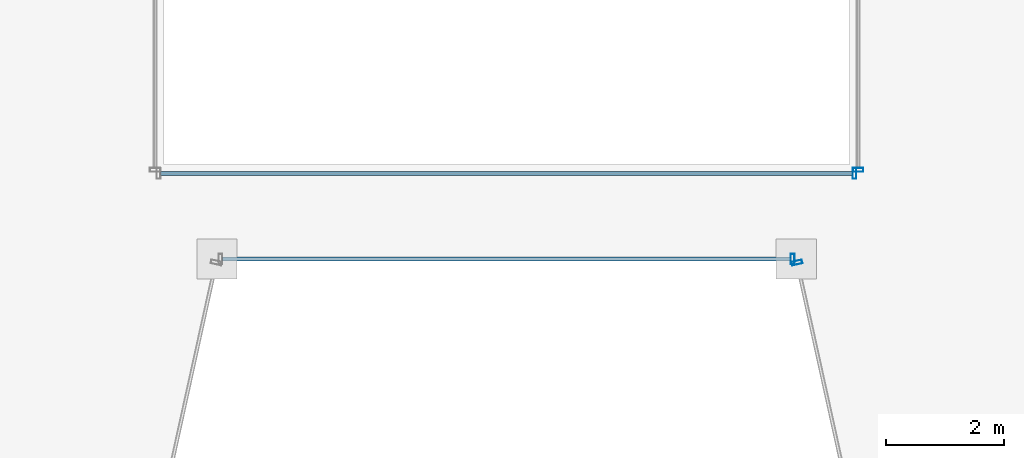
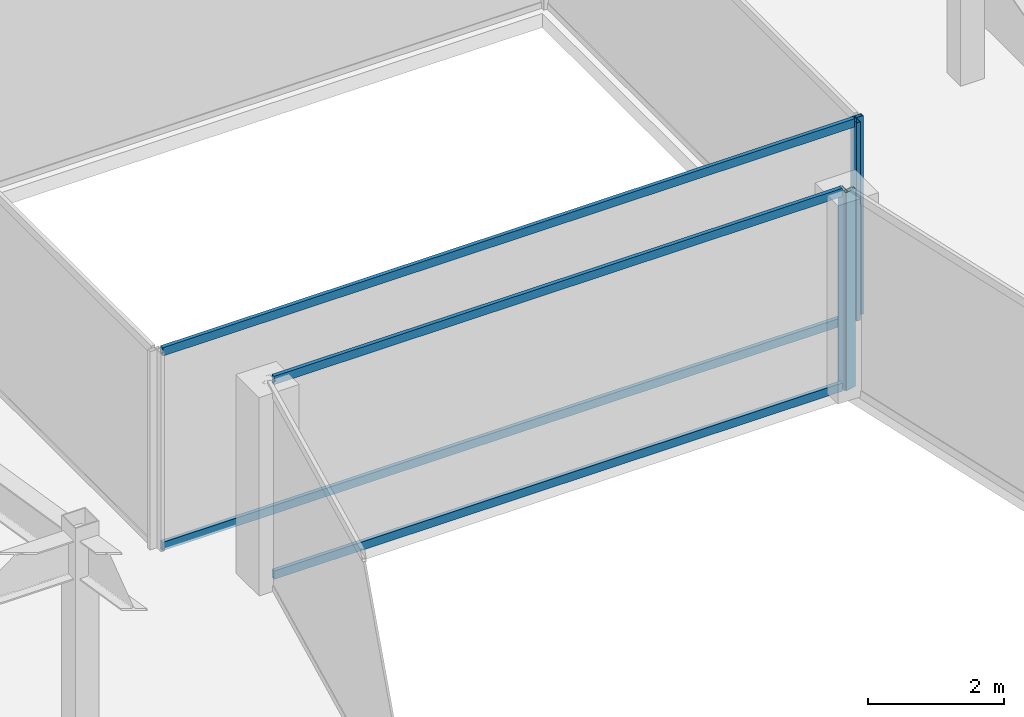
# One storey, part 8 of 36: 8 members, 4 elements without a shape of their own.
"""IFC4 building model written with IfcOpenShell, lengths in metres."""

from ifc_helpers import new_model, si_unit, direction, frame, origin, origin_2d, place, context, subcontext, project, spatial, hollow_rectangle, extrude, material, material_profile, profile_set, type_object, element, aggregate, save


model = new_model("IFC4")

# Units and contexts
model_context = context("Model", 3, precision=1e-05, world=origin(), true_north=direction((0.0, 1.0)))
body_context = subcontext(model_context, "Body", "Model", "MODEL_VIEW")
ifc_project = project(units=[si_unit("LENGTHUNIT", "METRE"), si_unit("AREAUNIT", "SQUARE_METRE"), si_unit("VOLUMEUNIT", "CUBIC_METRE"), si_unit("PLANEANGLEUNIT", "RADIAN"), si_unit("MASSUNIT", "GRAM", prefix="KILO")], contexts=[model_context])

# Site, building, storey
site_placement = place(None, origin())
site = spatial("IfcSite", under=ifc_project, at=site_placement, CompositionType="ELEMENT")
building_placement = place(site_placement, origin())
building = spatial("IfcBuilding", under=site, at=building_placement, Name="Saevonmaru Cultural Tower", CompositionType="ELEMENT")
storey_placement = place(building_placement, frame((0.0, 0.0, 209.39990234375)))
storey = spatial("IfcBuildingStorey", under=building, at=storey_placement, Name="L48", CompositionType="ELEMENT", Elevation=209.39990234375)

# Curtain wall, member
ifc_material = material(Name="Satin Bronze Anodised Aluminium", Category="aluminium")
curtain_wall_type_1 = type_object("IfcCurtainWallType", Name="CW-TYP-B", PredefinedType="NOTDEFINED", material=ifc_material)
curtain_wall_1_placement = place(storey_placement, origin())
curtain_wall_1 = element("IfcCurtainWall", 1, at=curtain_wall_1_placement, inside=storey, type_object=curtain_wall_type_1, Name="L48 Unitised Curtain Wall E4", PredefinedType="NOTDEFINED")
ifc_material_profile_1 = material_profile(ifc_material, hollow_rectangle(XDim=0.06494140625, YDim=0.179931640625, WallThickness=0.00390625, at=origin_2d()), Name="ALU-MULL-180x65x4")
ifc_profile_set_1 = profile_set([ifc_material_profile_1], Name="Satin Bronze Anodised Aluminium")
member_type_1 = type_object("IfcMemberType", Name="ML-CW-180x65", PredefinedType="MULLION", material=ifc_profile_set_1)
member_1_placement = place(storey_placement, frame((34.84228515625, 26.0, 0.0), z_axis=(0.0, 0.0, 1.0), x_axis=(1.0, 0.0, 0.0)))
member_1 = element("IfcMember", 2, at=member_1_placement, type_object=member_type_1, Name="CW-TW-L48-E4 mullion 2", PredefinedType="MULLION", context=body_context, shape_type="SweptSolid", body=[
    extrude(hollow_rectangle(XDim=0.06494140625, YDim=0.179931640625, WallThickness=0.00390625, at=origin_2d()), origin(), (0.0, 0.0, 1.0), 3.550048828125),
])

curtain_wall_2_placement = place(storey_placement, origin())
curtain_wall_2 = element("IfcCurtainWall", 3, at=curtain_wall_2_placement, inside=storey, type_object=curtain_wall_type_1, Name="L48 Unitised Curtain Wall E5", PredefinedType="NOTDEFINED")
member_2_placement = place(storey_placement, frame((34.9150390625, 25.94140625, 0.0), z_axis=(0.0, 0.0, 1.0), x_axis=(0.215413319953, -0.976522965212, 0.0)))
member_2 = element("IfcMember", 4, at=member_2_placement, type_object=member_type_1, Name="CW-TW-L48-E5 mullion 1", PredefinedType="MULLION", context=body_context, shape_type="SweptSolid", body=[
    extrude(hollow_rectangle(XDim=0.06494140625, YDim=0.179931640625, WallThickness=0.00390625, at=origin_2d()), origin(), (0.0, 0.0, 1.0), 3.550048828125),
])
aggregate(curtain_wall_2, [member_2])

curtain_wall_type_2 = type_object("IfcCurtainWallType", Name="CW-ATR-GLZ", PredefinedType="NOTDEFINED", material=ifc_material)
curtain_wall_3_placement = place(storey_placement, origin())
curtain_wall_3 = element("IfcCurtainWall", 5, at=curtain_wall_3_placement, inside=storey, type_object=curtain_wall_type_2, Name="L48 Vertical Atrium Glazed Smoke Screen 1", PredefinedType="NOTDEFINED")
ifc_material_profile_2 = material_profile(ifc_material, hollow_rectangle(XDim=0.06494140625, YDim=0.179931640625, WallThickness=0.00390625, at=origin_2d()), Name="ALU-MULL-180x65x4")
ifc_profile_set_2 = profile_set([ifc_material_profile_2], Name="Satin Bronze Anodised Aluminium")
member_type_2 = type_object("IfcMemberType", Name="ML-CW-INT-180x65", PredefinedType="MULLION", material=ifc_profile_set_2)
member_3_placement = place(storey_placement, frame((35.889892578125, 27.449951171875, 0.0), z_axis=(0.0, 0.0, 1.0), x_axis=(1.0, 0.0, 0.0)))
member_3 = element("IfcMember", 6, at=member_3_placement, type_object=member_type_2, Name="CW-ATR-L48-1 mullion 2", PredefinedType="MULLION", context=body_context, shape_type="SweptSolid", body=[
    extrude(hollow_rectangle(XDim=0.06494140625, YDim=0.179931640625, WallThickness=0.00390625, at=origin_2d()), origin(), (0.0, 0.0, 1.0), 3.550048828125),
])

curtain_wall_4_placement = place(storey_placement, origin())
curtain_wall_4 = element("IfcCurtainWall", 7, at=curtain_wall_4_placement, inside=storey, type_object=curtain_wall_type_2, Name="L48 Vertical Atrium Glazed Smoke Screen 2", PredefinedType="NOTDEFINED")
member_4_placement = place(storey_placement, frame((35.949951171875, 27.510009765625, 0.0), z_axis=(0.0, 0.0, 1.0), x_axis=(0.0, 1.0, 0.0)))
member_4 = element("IfcMember", 8, at=member_4_placement, type_object=member_type_2, Name="CW-ATR-L48-2 mullion 1", PredefinedType="MULLION", context=body_context, shape_type="SweptSolid", body=[
    extrude(hollow_rectangle(XDim=0.06494140625, YDim=0.179931640625, WallThickness=0.00390625, at=origin_2d()), origin(), (0.0, 0.0, 1.0), 3.550048828125),
])
aggregate(curtain_wall_4, [member_4])

# Member
ifc_material_profile_3 = material_profile(ifc_material, hollow_rectangle(XDim=0.06494140625, YDim=0.14990234375, WallThickness=0.00390625, at=origin_2d()), Name="ALU-TRAN-150x65x4")
ifc_profile_set_3 = profile_set([ifc_material_profile_3], Name="Satin Bronze Anodised Aluminium")
member_type_3 = type_object("IfcMemberType", Name="TR-CW-150x65", PredefinedType="USERDEFINED", material=ifc_profile_set_3)
member_5_placement = place(storey_placement, frame((25.190185546875, 26.0, 0.03271484375), z_axis=(1.0, 0.0, 0.0), x_axis=(0.0, 1.0, 0.0)))
member_5 = element("IfcMember", 9, at=member_5_placement, type_object=member_type_3, Name="CW-TW-L48-E4 transom 1.1", ObjectType="TRANSOM", PredefinedType="USERDEFINED", context=body_context, shape_type="SweptSolid", body=[
    extrude(hollow_rectangle(XDim=0.06494140625, YDim=0.14990234375, WallThickness=0.00390625, at=origin_2d()), origin(), (0.0, 0.0, 1.0), 9.61962890625),
])

member_6_placement = place(storey_placement, frame((25.190185546875, 26.0, 3.517578125), z_axis=(1.0, 0.0, 0.0), x_axis=(0.0, 1.0, 0.0)))
member_6 = element("IfcMember", 10, at=member_6_placement, type_object=member_type_3, Name="CW-TW-L48-E4 transom 1.2", ObjectType="TRANSOM", PredefinedType="USERDEFINED", context=body_context, shape_type="SweptSolid", body=[
    extrude(hollow_rectangle(XDim=0.06494140625, YDim=0.14990234375, WallThickness=0.00390625, at=origin_2d()), origin(), (0.0, 0.0, 1.0), 9.61962890625),
])

aggregate(curtain_wall_1, [member_1, member_5, member_6])

ifc_material_profile_4 = material_profile(ifc_material, hollow_rectangle(XDim=0.06494140625, YDim=0.14990234375, WallThickness=0.00390625, at=origin_2d()), Name="ALU-TRAN-150x65x4")
ifc_profile_set_4 = profile_set([ifc_material_profile_4], Name="Satin Bronze Anodised Aluminium")
member_type_4 = type_object("IfcMemberType", Name="TR-CW-INT-150x65", PredefinedType="USERDEFINED", material=ifc_profile_set_4)
member_7_placement = place(storey_placement, frame((24.142578125, 27.449951171875, 0.03271484375), z_axis=(1.0, 0.0, 0.0), x_axis=(0.0, 1.0, 0.0)))
member_7 = element("IfcMember", 11, at=member_7_placement, type_object=member_type_4, Name="CW-ATR-L48-1 transom 1.1", ObjectType="TRANSOM", PredefinedType="USERDEFINED", context=body_context, shape_type="SweptSolid", body=[
    extrude(hollow_rectangle(XDim=0.06494140625, YDim=0.14990234375, WallThickness=0.00390625, at=origin_2d()), origin(), (0.0, 0.0, 1.0), 11.71484375),
])

member_8_placement = place(storey_placement, frame((24.142578125, 27.449951171875, 3.517578125), z_axis=(1.0, 0.0, 0.0), x_axis=(0.0, 1.0, 0.0)))
member_8 = element("IfcMember", 12, at=member_8_placement, type_object=member_type_4, Name="CW-ATR-L48-1 transom 1.2", ObjectType="TRANSOM", PredefinedType="USERDEFINED", context=body_context, shape_type="SweptSolid", body=[
    extrude(hollow_rectangle(XDim=0.06494140625, YDim=0.14990234375, WallThickness=0.00390625, at=origin_2d()), origin(), (0.0, 0.0, 1.0), 11.71484375),
])

aggregate(curtain_wall_3, [member_3, member_7, member_8])

save(model, "model.ifc")
